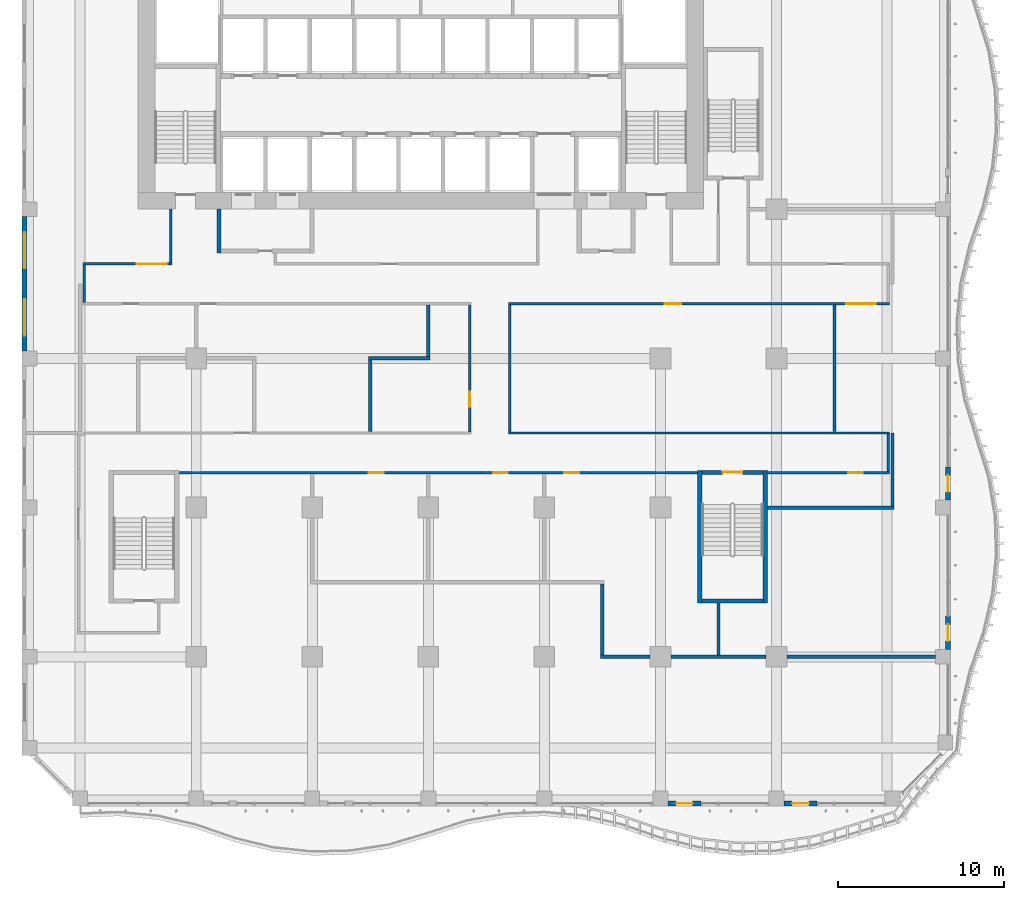
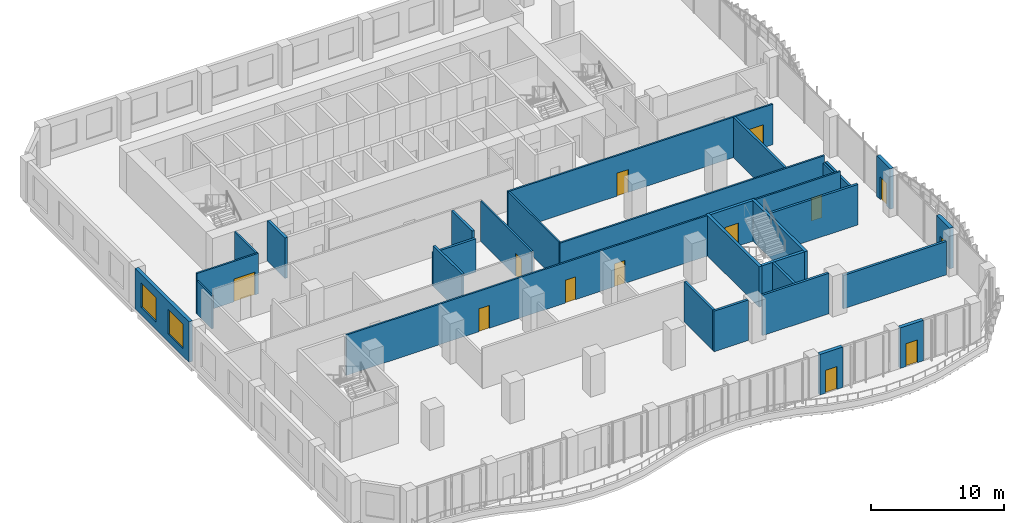
# One storey, part 11 of 25: 31 walls, 13 doors, 2 windows, 15 openings.
"""IFC4 building model written with IfcOpenShell, lengths in metres."""

from ifc_helpers import new_model, si_unit, direction, frame, frame_2d, origin, place, context, subcontext, project, spatial, rectangle, extrude, source, transform, mapped, material, layer, layer_set, type_object, element, fill, save


model = new_model("IFC4")

# Units and contexts
model_context = context("Model", 3, precision=1e-05, world=origin(), true_north=direction((0.0, 1.0)))
body_context = subcontext(model_context, "Body", "Model", "MODEL_VIEW")
ifc_project = project(units=[si_unit("LENGTHUNIT", "METRE"), si_unit("AREAUNIT", "SQUARE_METRE"), si_unit("VOLUMEUNIT", "CUBIC_METRE"), si_unit("PLANEANGLEUNIT", "RADIAN"), si_unit("MASSUNIT", "GRAM", prefix="KILO")], contexts=[model_context])

# Site, building, storey
site_placement = place(None, origin())
site = spatial("IfcSite", under=ifc_project, at=site_placement, CompositionType="ELEMENT")
building_placement = place(site_placement, origin())
building = spatial("IfcBuilding", under=site, at=building_placement, Name="Kilnfold Tower and Market Hall", CompositionType="ELEMENT")
storey_placement = place(building_placement, frame((0.0, 0.0, 67.199951171875)))
storey = spatial("IfcBuildingStorey", under=building, at=storey_placement, Name="L15", CompositionType="ELEMENT", Elevation=67.199951171875)

# Wall, openings, doors
ifc_material_1 = material(Name="Gypsum board on steel studs", Category="steel")
ifc_layer_1 = layer(ifc_material_1, 0.14990234375)
ifc_layer_set_1 = layer_set([ifc_layer_1], Name="Gypsum board on steel studs")
wall_type_1 = type_object("IfcWallType", Name="WALL CORRIDOR 150", PredefinedType="PARTITIONING", material=ifc_layer_set_1)
wall_1_placement = place(storey_placement, frame((-13.60009765625, -7.89990234375, 0.0), z_axis=(0.0, 0.0, 1.0), x_axis=(1.0, 0.0, 0.0)))
wall_1 = element("IfcWall", 1, at=wall_1_placement, inside=storey, type_object=wall_type_1, Name="Partition LY12.2", PredefinedType="PARTITIONING", context=body_context, shape_type="SweptSolid", body=[
    extrude(rectangle(XDim=31.400146484375, YDim=0.14990234375, at=frame_2d((15.7001953125, 0.0))), origin(), (0.0, 0.0, 1.0), 3.719970703125),
])
opening_1_placement = place(wall_1_placement, frame((11.5009765625, 0.0, 0.0)))
opening_1 = element("IfcOpeningElement", 2, at=opening_1_placement, cuts=wall_1, Name="Opening D3", PredefinedType="OPENING", context=body_context, shape_type="SweptSolid", body=[
    extrude(rectangle(XDim=0.89990234375, YDim=2.10009765625, at=frame_2d((0.449951171875, 1.050048828125))), frame((0.0, 0.0849609375, 0.0), z_axis=(0.0, -1.0, 0.0), x_axis=(1.0, 0.0, 0.0)), (0.0, 0.0, 1.0), 0.169921875),
])
opening_2_placement = place(wall_1_placement, frame((19.0029296875, 0.0, 0.0)))
opening_2 = element("IfcOpeningElement", 3, at=opening_2_placement, cuts=wall_1, Name="Opening D2", PredefinedType="OPENING", context=body_context, shape_type="SweptSolid", body=[
    extrude(rectangle(XDim=0.89990234375, YDim=2.10009765625, at=frame_2d((0.449951171875, 1.050048828125))), frame((0.0, 0.0849609375, 0.0), z_axis=(0.0, -1.0, 0.0), x_axis=(1.0, 0.0, 0.0)), (0.0, 0.0, 1.0), 0.169921875),
])
opening_3_placement = place(wall_1_placement, frame((23.291015625, 0.0, 0.0)))
opening_3 = element("IfcOpeningElement", 4, at=opening_3_placement, cuts=wall_1, Name="Opening D2", PredefinedType="OPENING", context=body_context, shape_type="SweptSolid", body=[
    extrude(rectangle(XDim=0.89990234375, YDim=2.10009765625, at=frame_2d((0.449951171875, 1.050048828125))), frame((0.0, 0.0849609375, 0.0), z_axis=(0.0, -1.0, 0.0), x_axis=(1.0, 0.0, 0.0)), (0.0, 0.0, 1.0), 0.169921875),
])
ifc_material_2 = material(Name="Timber veneer door leaf in steel frame", Category="steel")
door_type_1 = type_object("IfcDoorType", Name="DOOR ROOM 900 X2100", OperationType="NOTDEFINED", PredefinedType="DOOR", material=ifc_material_2)
door_1_placement = place(opening_2_placement, origin())
door_1 = element("IfcDoor", 5, at=door_1_placement, inside=storey, type_object=door_type_1, Name="Door D2", OperationType="SINGLE_SWING_RIGHT", OverallHeight=2.10009765625, OverallWidth=0.89990234375, PredefinedType="DOOR", context=body_context, shape_type="SweptSolid", body=[
    extrude(rectangle(XDim=0.89990234375, YDim=2.10009765625, at=frame_2d((0.449951171875, 1.050048828125))), frame((0.0, 0.02490234375, 0.0), z_axis=(0.0, -1.0, 0.0), x_axis=(1.0, 0.0, 0.0)), (0.0, 0.0, 1.0), 0.050048828125),
])
fill(opening_2, door_1)
door_2_placement = place(opening_3_placement, origin())
door_2 = element("IfcDoor", 6, at=door_2_placement, inside=storey, type_object=door_type_1, Name="Door D2", OperationType="SINGLE_SWING_LEFT", OverallHeight=2.10009765625, OverallWidth=0.89990234375, PredefinedType="DOOR", context=body_context, shape_type="SweptSolid", body=[
    extrude(rectangle(XDim=0.89990234375, YDim=2.10009765625, at=frame_2d((0.449951171875, 1.050048828125))), frame((0.0, 0.02490234375, 0.0), z_axis=(0.0, -1.0, 0.0), x_axis=(1.0, 0.0, 0.0)), (0.0, 0.0, 1.0), 0.050048828125),
])
fill(opening_3, door_2)
ifc_material_3 = material(Name="Timber veneer door leaf in steel frame", Category="steel")
door_type_2 = type_object("IfcDoorType", Name="DOOR WC 900 X2100", OperationType="NOTDEFINED", PredefinedType="DOOR", material=ifc_material_3)
door_3_placement = place(opening_1_placement, origin())
door_3 = element("IfcDoor", 7, at=door_3_placement, inside=storey, type_object=door_type_2, Name="Door D3", OperationType="SINGLE_SWING_LEFT", OverallHeight=2.10009765625, OverallWidth=0.89990234375, PredefinedType="DOOR", context=body_context, shape_type="SweptSolid", body=[
    extrude(rectangle(XDim=0.89990234375, YDim=2.10009765625, at=frame_2d((0.449951171875, 1.050048828125))), frame((0.0, 0.02490234375, 0.0), z_axis=(0.0, -1.0, 0.0), x_axis=(1.0, 0.0, 0.0)), (0.0, 0.0, 1.0), 0.050048828125),
])
fill(opening_1, door_3)

# Wall
wall_2_placement = place(storey_placement, frame((-19.25, 2.375, 0.0), z_axis=(0.0, 0.0, 1.0), x_axis=(0.0, 1.0, 0.0)))
element("IfcWall", 8, at=wall_2_placement, inside=storey, type_object=wall_type_1, Name="Partition LY12.11", PredefinedType="PARTITIONING", context=body_context, shape_type="SweptSolid", body=[
    extrude(rectangle(XDim=2.25, YDim=0.14990234375, at=frame_2d((1.125, 0.0))), origin(), (0.0, 0.0, 1.0), 3.070068359375),
])

# Wall, opening, door
wall_3_placement = place(storey_placement, frame((-19.324951171875, 4.699951171875, 0.0), z_axis=(0.0, 0.0, 1.0), x_axis=(1.0, 0.0, 0.0)))
wall_3 = element("IfcWall", 9, at=wall_3_placement, inside=storey, type_object=wall_type_1, Name="Partition LY12.12", PredefinedType="PARTITIONING", context=body_context, shape_type="SweptSolid", body=[
    extrude(rectangle(XDim=5.349853515625, YDim=0.14990234375, at=frame_2d((2.6748046875, 0.0))), origin(), (0.0, 0.0, 1.0), 3.719970703125),
])
opening_4_placement = place(wall_3_placement, frame((3.248046875, 0.0, 0.0)))
opening_4 = element("IfcOpeningElement", 10, at=opening_4_placement, cuts=wall_3, Name="Opening D5", PredefinedType="OPENING", context=body_context, shape_type="SweptSolid", body=[
    extrude(rectangle(XDim=1.800048828125, YDim=2.10009765625, at=frame_2d((0.89990234375, 1.050048828125))), frame((0.0, 0.0849609375, 0.0), z_axis=(0.0, -1.0, 0.0), x_axis=(1.0, 0.0, 0.0)), (0.0, 0.0, 1.0), 0.169921875),
])
ifc_material_4 = material(Name="Timber veneer door leaf in steel frame", Category="steel")
door_type_3 = type_object("IfcDoorType", Name="DOOR DOUBLE 1800 X2100", OperationType="NOTDEFINED", PredefinedType="DOOR", material=ifc_material_4)
door_4_placement = place(opening_4_placement, origin())
door_4 = element("IfcDoor", 11, at=door_4_placement, inside=storey, type_object=door_type_3, Name="Door D5", OperationType="DOUBLE_DOOR_SINGLE_SWING", OverallHeight=2.10009765625, OverallWidth=1.800048828125, PredefinedType="DOOR", context=body_context, shape_type="SweptSolid", body=[
    extrude(rectangle(XDim=1.800048828125, YDim=2.10009765625, at=frame_2d((0.89990234375, 1.050048828125))), frame((0.0, 0.02490234375, 0.0), z_axis=(0.0, -1.0, 0.0), x_axis=(1.0, 0.0, 0.0)), (0.0, 0.0, 1.0), 0.050048828125),
])
fill(opening_4, door_4)

# Wall
wall_4_placement = place(storey_placement, frame((-14.050048828125, 8.0, 0.0), z_axis=(0.0, 0.0, 1.0), x_axis=(0.0, -1.0, 0.0)))
element("IfcWall", 12, at=wall_4_placement, inside=storey, type_object=wall_type_1, Name="Partition LY12.13", PredefinedType="PARTITIONING", context=body_context, shape_type="SweptSolid", body=[
    extrude(rectangle(XDim=3.22509765625, YDim=0.14990234375, at=frame_2d((1.612548828125, 0.0))), origin(), (0.0, 0.0, 1.0), 3.719970703125),
])

# Wall, opening, door
wall_5_placement = place(storey_placement, frame((4.0, 2.22509765625, 0.0), z_axis=(0.0, 0.0, 1.0), x_axis=(0.0, -1.0, 0.0)))
wall_5 = element("IfcWall", 13, at=wall_5_placement, inside=storey, type_object=wall_type_1, Name="Partition LY12.17", PredefinedType="PARTITIONING", context=body_context, shape_type="SweptSolid", body=[
    extrude(rectangle(XDim=7.650146484375, YDim=0.14990234375, at=frame_2d((3.8251953125, 0.0))), origin(), (0.0, 0.0, 1.0), 3.719970703125),
])
opening_5_placement = place(wall_5_placement, frame((5.239990234375, 0.0, 0.0)))
opening_5 = element("IfcOpeningElement", 14, at=opening_5_placement, cuts=wall_5, Name="Opening D2", PredefinedType="OPENING", context=body_context, shape_type="SweptSolid", body=[
    extrude(rectangle(XDim=0.89990234375, YDim=2.10009765625, at=frame_2d((0.449951171875, 1.050048828125))), frame((0.0, 0.0849609375, 0.0), z_axis=(0.0, -1.0, 0.0), x_axis=(1.0, 0.0, 0.0)), (0.0, 0.0, 1.0), 0.169921875),
])
door_5_placement = place(opening_5_placement, origin())
door_5 = element("IfcDoor", 15, at=door_5_placement, inside=storey, type_object=door_type_1, Name="Door D2", OperationType="SINGLE_SWING_LEFT", OverallHeight=2.10009765625, OverallWidth=0.89990234375, PredefinedType="DOOR", context=body_context, shape_type="SweptSolid", body=[
    extrude(rectangle(XDim=0.89990234375, YDim=2.10009765625, at=frame_2d((0.449951171875, 1.050048828125))), frame((0.0, 0.02490234375, 0.0), z_axis=(0.0, -1.0, 0.0), x_axis=(1.0, 0.0, 0.0)), (0.0, 0.0, 1.0), 0.050048828125),
])
fill(opening_5, door_5)

# Wall, openings, doors
wall_6_placement = place(storey_placement, frame((6.324951171875, 2.300048828125, 0.0), z_axis=(0.0, 0.0, 1.0), x_axis=(1.0, 0.0, 0.0)))
wall_6 = element("IfcWall", 16, at=wall_6_placement, inside=storey, type_object=wall_type_1, Name="Partition LY12.18", PredefinedType="PARTITIONING", context=body_context, shape_type="SweptSolid", body=[
    extrude(rectangle(XDim=23.0, YDim=0.14990234375, at=frame_2d((11.5, 0.0))), origin(), (0.0, 0.0, 1.0), 3.719970703125),
])
opening_6_placement = place(wall_6_placement, frame((9.443115234375, 0.0, 0.0)))
opening_6 = element("IfcOpeningElement", 17, at=opening_6_placement, cuts=wall_6, Name="Opening D1", PredefinedType="OPENING", context=body_context, shape_type="SweptSolid", body=[
    extrude(rectangle(XDim=1.0, YDim=2.10009765625, at=frame_2d((0.5, 1.050048828125))), frame((0.0, 0.0849609375, 0.0), z_axis=(0.0, -1.0, 0.0), x_axis=(1.0, 0.0, 0.0)), (0.0, 0.0, 1.0), 0.169921875),
])
opening_7_placement = place(wall_6_placement, frame((20.381103515625, 0.0, 0.0)))
opening_7 = element("IfcOpeningElement", 18, at=opening_7_placement, cuts=wall_6, Name="Opening D5", PredefinedType="OPENING", context=body_context, shape_type="SweptSolid", body=[
    extrude(rectangle(XDim=1.800048828125, YDim=2.10009765625, at=frame_2d((0.89990234375, 1.050048828125))), frame((0.0, 0.0849609375, 0.0), z_axis=(0.0, -1.0, 0.0), x_axis=(1.0, 0.0, 0.0)), (0.0, 0.0, 1.0), 0.169921875),
])
door_6_placement = place(opening_7_placement, origin())
door_6 = element("IfcDoor", 19, at=door_6_placement, inside=storey, type_object=door_type_3, Name="Door D5", OperationType="DOUBLE_DOOR_SINGLE_SWING", OverallHeight=2.10009765625, OverallWidth=1.800048828125, PredefinedType="DOOR", context=body_context, shape_type="SweptSolid", body=[
    extrude(rectangle(XDim=1.800048828125, YDim=2.10009765625, at=frame_2d((0.89990234375, 1.050048828125))), frame((0.0, 0.02490234375, 0.0), z_axis=(0.0, -1.0, 0.0), x_axis=(1.0, 0.0, 0.0)), (0.0, 0.0, 1.0), 0.050048828125),
])
fill(opening_7, door_6)
ifc_material_5 = material(Name="Timber veneer door leaf in steel frame", Category="steel")
door_type_4 = type_object("IfcDoorType", Name="DOOR ENTRY 1000 X2100", OperationType="NOTDEFINED", PredefinedType="DOOR", material=ifc_material_5)
door_7_placement = place(opening_6_placement, origin())
door_7 = element("IfcDoor", 20, at=door_7_placement, inside=storey, type_object=door_type_4, Name="Door D1", OperationType="SINGLE_SWING_LEFT", OverallHeight=2.10009765625, OverallWidth=1.0, PredefinedType="DOOR", context=body_context, shape_type="SweptSolid", body=[
    extrude(rectangle(XDim=1.0, YDim=2.10009765625, at=frame_2d((0.5, 1.050048828125))), frame((0.0, 0.02490234375, 0.0), z_axis=(0.0, -1.0, 0.0), x_axis=(1.0, 0.0, 0.0)), (0.0, 0.0, 1.0), 0.050048828125),
])
fill(opening_6, door_7)

# Walls
wall_7_placement = place(storey_placement, frame((6.39990234375, -5.425048828125, 0.0), z_axis=(0.0, 0.0, 1.0), x_axis=(0.0, 1.0, 0.0)))
element("IfcWall", 21, at=wall_7_placement, inside=storey, type_object=wall_type_1, Name="Partition LY12.19", PredefinedType="PARTITIONING", context=body_context, shape_type="SweptSolid", body=[
    extrude(rectangle(XDim=7.650146484375, YDim=0.14990234375, at=frame_2d((3.8251953125, 0.0))), origin(), (0.0, 0.0, 1.0), 3.719970703125),
])
wall_8_placement = place(storey_placement, frame((6.324951171875, -5.5, 0.0), z_axis=(0.0, 0.0, 1.0), x_axis=(1.0, 0.0, 0.0)))
element("IfcWall", 22, at=wall_8_placement, inside=storey, type_object=wall_type_1, Name="Partition LY12.20", PredefinedType="PARTITIONING", context=body_context, shape_type="SweptSolid", body=[
    extrude(rectangle(XDim=23.0, YDim=0.14990234375, at=frame_2d((11.5, 0.0))), origin(), (0.0, 0.0, 1.0), 3.719970703125),
])
wall_9_placement = place(storey_placement, frame((29.25, -7.824951171875, 0.0), z_axis=(0.0, 0.0, 1.0), x_axis=(0.0, 1.0, 0.0)))
element("IfcWall", 23, at=wall_9_placement, inside=storey, type_object=wall_type_1, Name="Partition LY12.27", PredefinedType="PARTITIONING", context=body_context, shape_type="SweptSolid", body=[
    extrude(rectangle(XDim=2.25, YDim=0.14990234375, at=frame_2d((1.125, 0.0))), origin(), (0.0, 0.0, 1.0), 3.070068359375),
])

# Wall, opening, door
wall_10_placement = place(storey_placement, frame((21.89990234375, -7.89990234375, 0.0), z_axis=(0.0, 0.0, 1.0), x_axis=(1.0, 0.0, 0.0)))
wall_10 = element("IfcWall", 24, at=wall_10_placement, inside=storey, type_object=wall_type_1, Name="Partition LY12.28", PredefinedType="PARTITIONING", context=body_context, shape_type="SweptSolid", body=[
    extrude(rectangle(XDim=7.425048828125, YDim=0.14990234375, at=frame_2d((3.71240234375, 0.0))), origin(), (0.0, 0.0, 1.0), 3.719970703125),
])
opening_8_placement = place(wall_10_placement, frame((4.9189453125, 0.0, 0.0)))
opening_8 = element("IfcOpeningElement", 25, at=opening_8_placement, cuts=wall_10, Name="Opening D2", PredefinedType="OPENING", context=body_context, shape_type="SweptSolid", body=[
    extrude(rectangle(XDim=0.89990234375, YDim=2.10009765625, at=frame_2d((0.449951171875, 1.050048828125))), frame((0.0, 0.0849609375, 0.0), z_axis=(0.0, -1.0, 0.0), x_axis=(1.0, 0.0, 0.0)), (0.0, 0.0, 1.0), 0.169921875),
])
door_8_placement = place(opening_8_placement, origin())
door_8 = element("IfcDoor", 26, at=door_8_placement, inside=storey, type_object=door_type_1, Name="Door D2", OperationType="SINGLE_SWING_RIGHT", OverallHeight=2.10009765625, OverallWidth=0.89990234375, PredefinedType="DOOR", context=body_context, shape_type="SweptSolid", body=[
    extrude(rectangle(XDim=0.89990234375, YDim=2.10009765625, at=frame_2d((0.449951171875, 1.050048828125))), frame((0.0, 0.02490234375, 0.0), z_axis=(0.0, -1.0, 0.0), x_axis=(1.0, 0.0, 0.0)), (0.0, 0.0, 1.0), 0.050048828125),
])
fill(opening_8, door_8)

# Walls
ifc_material_6 = material(Name="Gypsum board on steel studs", Category="steel")
ifc_layer_2 = layer(ifc_material_6, 0.199951171875)
ifc_layer_set_2 = layer_set([ifc_layer_2], Name="Gypsum board on steel studs")
wall_type_2 = type_object("IfcWallType", Name="WALL PARTY 200", PredefinedType="PARTITIONING", material=ifc_layer_set_2)
wall_11_placement = place(storey_placement, frame((12.0, -18.89990234375, 0.0), z_axis=(0.0, 0.0, 1.0), x_axis=(0.0, 1.0, 0.0)))
element("IfcWall", 27, at=wall_11_placement, inside=storey, type_object=wall_type_2, Name="Partition LY12.34", PredefinedType="PARTITIONING", context=body_context, shape_type="SweptSolid", body=[
    extrude(rectangle(XDim=4.2998046875, YDim=0.199951171875, at=frame_2d((2.14990234375, 0.0))), origin(), (0.0, 0.0, 1.0), 3.719970703125),
])
wall_12_placement = place(storey_placement, frame((11.89990234375, -19.0, 0.0), z_axis=(0.0, 0.0, 1.0), x_axis=(1.0, 0.0, 0.0)))
element("IfcWall", 28, at=wall_12_placement, inside=storey, type_object=wall_type_2, Name="Partition LY12.35", PredefinedType="PARTITIONING", context=body_context, shape_type="SweptSolid", body=[
    extrude(rectangle(XDim=2.97509765625, YDim=0.199951171875, at=frame_2d((1.487548828125, 0.0))), origin(), (0.0, 0.0, 1.0), 3.719970703125),
])
wall_13_placement = place(storey_placement, frame((16.125, -19.0, 0.0), z_axis=(0.0, 0.0, 1.0), x_axis=(1.0, 0.0, 0.0)))
element("IfcWall", 29, at=wall_13_placement, inside=storey, type_object=wall_type_2, Name="Partition LY12.36", PredefinedType="PARTITIONING", context=body_context, shape_type="SweptSolid", body=[
    extrude(rectangle(XDim=5.75, YDim=0.199951171875, at=frame_2d((2.875, 0.0))), origin(), (0.0, 0.0, 1.0), 3.719970703125),
])
wall_14_placement = place(storey_placement, frame((23.125, -19.0, 0.0), z_axis=(0.0, 0.0, 1.0), x_axis=(1.0, 0.0, 0.0)))
element("IfcWall", 30, at=wall_14_placement, inside=storey, type_object=wall_type_2, Name="Partition LY12.37", PredefinedType="PARTITIONING", context=body_context, shape_type="SweptSolid", body=[
    extrude(rectangle(XDim=8.97509765625, YDim=0.199951171875, at=frame_2d((4.487548828125, 0.0))), origin(), (0.0, 0.0, 1.0), 3.070068359375),
])
wall_15_placement = place(storey_placement, frame((1.5, -0.89990234375, 0.0), z_axis=(0.0, 0.0, 1.0), x_axis=(0.0, 1.0, 0.0)))
element("IfcWall", 31, at=wall_15_placement, inside=storey, type_object=wall_type_2, Name="Partition LY12.46", PredefinedType="PARTITIONING", context=body_context, shape_type="SweptSolid", body=[
    extrude(rectangle(XDim=3.1240234375, YDim=0.199951171875, at=frame_2d((1.56201171875, 0.0))), origin(), (0.0, 0.0, 1.0), 3.719970703125),
])
wall_16_placement = place(storey_placement, frame((-2.10009765625, -1.0, 0.0), z_axis=(0.0, 0.0, 1.0), x_axis=(1.0, 0.0, 0.0)))
element("IfcWall", 32, at=wall_16_placement, inside=storey, type_object=wall_type_2, Name="Partition LY12.47", PredefinedType="PARTITIONING", context=body_context, shape_type="SweptSolid", body=[
    extrude(rectangle(XDim=3.7001953125, YDim=0.199951171875, at=frame_2d((1.85009765625, 0.0))), origin(), (0.0, 0.0, 1.0), 3.070068359375),
])
wall_17_placement = place(storey_placement, frame((-2.0, -5.424072265625, 0.0), z_axis=(0.0, 0.0, 1.0), x_axis=(0.0, 1.0, 0.0)))
element("IfcWall", 33, at=wall_17_placement, inside=storey, type_object=wall_type_2, Name="Partition LY12.48", PredefinedType="PARTITIONING", context=body_context, shape_type="SweptSolid", body=[
    extrude(rectangle(XDim=4.323974609375, YDim=0.199951171875, at=frame_2d((2.162109375, 0.0))), origin(), (0.0, 0.0, 1.0), 3.719970703125),
])
wall_18_placement = place(storey_placement, frame((26.0, -5.424072265625, 0.0), z_axis=(0.0, 0.0, 1.0), x_axis=(0.0, 1.0, 0.0)))
element("IfcWall", 34, at=wall_18_placement, inside=storey, type_object=wall_type_2, Name="Partition LY12.53", PredefinedType="PARTITIONING", context=body_context, shape_type="SweptSolid", body=[
    extrude(rectangle(XDim=7.648193359375, YDim=0.199951171875, at=frame_2d((3.82421875, 0.0))), origin(), (0.0, 0.0, 1.0), 3.719970703125),
])
wall_19_placement = place(storey_placement, frame((19.0, -18.89990234375, 0.0), z_axis=(0.0, 0.0, 1.0), x_axis=(0.0, 1.0, 0.0)))
element("IfcWall", 35, at=wall_19_placement, inside=storey, type_object=wall_type_2, Name="Partition LY12.54", PredefinedType="PARTITIONING", context=body_context, shape_type="SweptSolid", body=[
    extrude(rectangle(XDim=3.14990234375, YDim=0.199951171875, at=frame_2d((1.574951171875, 0.0))), origin(), (0.0, 0.0, 1.0), 3.719970703125),
])
wall_20_placement = place(storey_placement, frame((29.5, -9.89990234375, 0.0), z_axis=(0.0, 0.0, 1.0), x_axis=(0.0, 1.0, 0.0)))
element("IfcWall", 36, at=wall_20_placement, inside=storey, type_object=wall_type_2, Name="Partition LY12.58", PredefinedType="PARTITIONING", context=body_context, shape_type="SweptSolid", body=[
    extrude(rectangle(XDim=4.39990234375, YDim=0.199951171875, at=frame_2d((2.199951171875, 0.0))), origin(), (0.0, 0.0, 1.0), 3.070068359375),
])
wall_21_placement = place(storey_placement, frame((21.949951171875, -10.0, 0.0), z_axis=(0.0, 0.0, 1.0), x_axis=(1.0, 0.0, 0.0)))
element("IfcWall", 37, at=wall_21_placement, inside=storey, type_object=wall_type_2, Name="Partition LY12.59", PredefinedType="PARTITIONING", context=body_context, shape_type="SweptSolid", body=[
    extrude(rectangle(XDim=7.650146484375, YDim=0.199951171875, at=frame_2d((3.8251953125, 0.0))), origin(), (0.0, 0.0, 1.0), 3.719970703125),
])
ifc_material_7 = material(Name="Concrete C80", Category="concrete")
ifc_layer_3 = layer(ifc_material_7, 0.25)
ifc_layer_set_3 = layer_set([ifc_layer_3], Name="Concrete C80")
wall_type_3 = type_object("IfcWallType", Name="CORE WALL 250 C80", PredefinedType="SHEAR", material=ifc_layer_set_3)
shared_shape_1 = source(origin(), body_context, "Body", "SweptSolid", [
    extrude(rectangle(XDim=3.699951171875, YDim=0.25, at=frame_2d((1.85009765625, 0.0))), origin(), (0.0, 0.0, 1.0), 3.719970703125),
])
wall_22_placement = place(storey_placement, frame((18.0, -15.625, 0.0), z_axis=(0.0, 0.0, 1.0), x_axis=(1.0, 0.0, 0.0)))
element("IfcWall", 38, at=wall_22_placement, inside=storey, type_object=wall_type_3, Name="Stair enclosure ST4", PredefinedType="SHEAR", context=body_context, shape_type="MappedRepresentation", body=[
    mapped(shared_shape_1, transform((0.0, 0.0, 0.0))),
])

# Wall, opening, door
wall_23_placement = place(storey_placement, frame((18.0, -7.875, 0.0), z_axis=(0.0, 0.0, 1.0), x_axis=(1.0, 0.0, 0.0)))
wall_23 = element("IfcWall", 39, at=wall_23_placement, inside=storey, type_object=wall_type_3, Name="Stair enclosure ST4", PredefinedType="SHEAR", context=body_context, shape_type="MappedRepresentation", body=[
    mapped(shared_shape_1, transform((0.0, 0.0, 0.0))),
])
opening_9_placement = place(wall_23_placement, frame((1.25, 0.0, 0.0)))
opening_9 = element("IfcOpeningElement", 40, at=opening_9_placement, cuts=wall_23, Name="Opening SD1", PredefinedType="OPENING", context=body_context, shape_type="SweptSolid", body=[
    extrude(rectangle(XDim=1.199951171875, YDim=2.10009765625, at=frame_2d((0.60009765625, 1.050048828125))), frame((0.0, 0.135009765625, 0.0), z_axis=(0.0, -1.0, 0.0), x_axis=(1.0, 0.0, 0.0)), (0.0, 0.0, 1.0), 0.27001953125),
])
ifc_material_8 = material(Name="Steel door set with fire-resisting leaf", Category="steel")
door_type_5 = type_object("IfcDoorType", Name="STAIR FLOOR DOOR 1200X2100", OperationType="NOTDEFINED", PredefinedType="DOOR", material=ifc_material_8)
door_9_placement = place(opening_9_placement, origin())
door_9 = element("IfcDoor", 41, at=door_9_placement, inside=storey, type_object=door_type_5, Name="Exit stair ST4 door", OperationType="DOUBLE_DOOR_SINGLE_SWING", OverallHeight=2.10009765625, OverallWidth=1.199951171875, PredefinedType="DOOR", context=body_context, shape_type="SweptSolid", body=[
    extrude(rectangle(XDim=1.199951171875, YDim=2.10009765625, at=frame_2d((0.60009765625, 1.050048828125))), frame((0.0, 0.02490234375, 0.0), z_axis=(0.0, -1.0, 0.0), x_axis=(1.0, 0.0, 0.0)), (0.0, 0.0, 1.0), 0.050048828125),
])
fill(opening_9, door_9)

# Walls
shared_shape_2 = source(origin(), body_context, "Body", "SweptSolid", [
    extrude(rectangle(XDim=8.0, YDim=0.25, at=frame_2d((4.0, 0.0))), origin(), (0.0, 0.0, 1.0), 3.719970703125),
])
for number, where, z_axis, x_axis, name in (
    (42, (17.875, -15.75, 0.0), (0.0, 0.0, 1.0), (0.0, 1.0, 0.0), "Stair enclosure ST4"),
    (43, (21.824951171875, -15.75, 0.0), (0.0, 0.0, 1.0), (0.0, 1.0, 0.0), "Stair enclosure ST4"),
):
    element("IfcWall", number, at=place(storey_placement, frame(where, z_axis=z_axis, x_axis=x_axis)), inside=storey, type_object=wall_type_3, Name=name, PredefinedType="SHEAR", context=body_context, shape_type="MappedRepresentation", body=[
        mapped(shared_shape_2, transform((0.0, 0.0, 0.0))),
    ])

# Wall, opening, door
ifc_material_9 = material(Name="Precast concrete C50/60", Category="concrete")
ifc_layer_4 = layer(ifc_material_9, 0.300048828125)
ifc_layer_set_4 = layer_set([ifc_layer_4], Name="Precast concrete C50/60")
wall_type_4 = type_object("IfcWallType", Name="PRECAST WALL 300", PredefinedType="SOLIDWALL", material=ifc_layer_set_4)
shared_shape_3 = source(origin(), body_context, "Body", "SweptSolid", [
    extrude(rectangle(XDim=2.0, YDim=0.300048828125, at=frame_2d((1.0, 0.0))), origin(), (0.0, 0.0, 1.0), 3.719970703125),
])
wall_24_placement = place(storey_placement, frame((15.949951171875, -27.85009765625, 0.0), z_axis=(0.0, 0.0, 1.0), x_axis=(1.0, 0.0, 0.0)))
wall_24 = element("IfcWall", 44, at=wall_24_placement, inside=storey, type_object=wall_type_4, Name="External wall L15 S", PredefinedType="SOLIDWALL", context=body_context, shape_type="MappedRepresentation", body=[
    mapped(shared_shape_3, transform((0.0, 0.0, 0.0))),
])
opening_10_placement = place(wall_24_placement, frame((0.5, 0.0, 0.0)))
opening_10 = element("IfcOpeningElement", 45, at=opening_10_placement, cuts=wall_24, Name="Opening BD1", PredefinedType="OPENING", context=body_context, shape_type="SweptSolid", body=[
    extrude(rectangle(XDim=1.0, YDim=2.10009765625, at=frame_2d((0.5, 1.050048828125))), frame((0.0, 0.16015625, 0.0), z_axis=(0.0, -1.0, 0.0), x_axis=(1.0, 0.0, 0.0)), (0.0, 0.0, 1.0), 0.320068359375),
])
ifc_material_10 = material(Name="Aluminium frame and double glazing", Category="aluminium")
door_type_6 = type_object("IfcDoorType", Name="BALCONY DOOR 1000X2100", OperationType="NOTDEFINED", PredefinedType="DOOR", material=ifc_material_10)
door_10_placement = place(opening_10_placement, origin())
door_10 = element("IfcDoor", 46, at=door_10_placement, inside=storey, type_object=door_type_6, Name="Balcony door BD1 L15 S-1", OperationType="SINGLE_SWING_LEFT", OverallHeight=2.10009765625, OverallWidth=1.0, PredefinedType="DOOR", context=body_context, shape_type="SweptSolid", body=[
    extrude(rectangle(XDim=1.0, YDim=2.10009765625, at=frame_2d((0.5, 1.050048828125))), frame((0.0, 0.02490234375, 0.0), z_axis=(0.0, -1.0, 0.0), x_axis=(1.0, 0.0, 0.0)), (0.0, 0.0, 1.0), 0.050048828125),
])
fill(opening_10, door_10)

wall_25_placement = place(storey_placement, frame((22.949951171875, -27.85009765625, 0.0), z_axis=(0.0, 0.0, 1.0), x_axis=(1.0, 0.0, 0.0)))
wall_25 = element("IfcWall", 47, at=wall_25_placement, inside=storey, type_object=wall_type_4, Name="External wall L15 S", PredefinedType="SOLIDWALL", context=body_context, shape_type="MappedRepresentation", body=[
    mapped(shared_shape_3, transform((0.0, 0.0, 0.0))),
])
opening_11_placement = place(wall_25_placement, frame((0.5, 0.0, 0.0)))
opening_11 = element("IfcOpeningElement", 48, at=opening_11_placement, cuts=wall_25, Name="Opening BD1", PredefinedType="OPENING", context=body_context, shape_type="SweptSolid", body=[
    extrude(rectangle(XDim=1.0, YDim=2.10009765625, at=frame_2d((0.5, 1.050048828125))), frame((0.0, 0.16015625, 0.0), z_axis=(0.0, -1.0, 0.0), x_axis=(1.0, 0.0, 0.0)), (0.0, 0.0, 1.0), 0.320068359375),
])
door_11_placement = place(opening_11_placement, origin())
door_11 = element("IfcDoor", 49, at=door_11_placement, inside=storey, type_object=door_type_6, Name="Balcony door BD1 L15 S-1", OperationType="SINGLE_SWING_LEFT", OverallHeight=2.10009765625, OverallWidth=1.0, PredefinedType="DOOR", context=body_context, shape_type="SweptSolid", body=[
    extrude(rectangle(XDim=1.0, YDim=2.10009765625, at=frame_2d((0.5, 1.050048828125))), frame((0.0, 0.02490234375, 0.0), z_axis=(0.0, -1.0, 0.0), x_axis=(1.0, 0.0, 0.0)), (0.0, 0.0, 1.0), 0.050048828125),
])
fill(opening_11, door_11)

wall_26_placement = place(storey_placement, frame((32.85009765625, -18.550048828125, 0.0), z_axis=(0.0, 0.0, 1.0), x_axis=(0.0, 1.0, 0.0)))
wall_26 = element("IfcWall", 50, at=wall_26_placement, inside=storey, type_object=wall_type_4, Name="External wall L15 E", PredefinedType="SOLIDWALL", context=body_context, shape_type="MappedRepresentation", body=[
    mapped(shared_shape_3, transform((0.0, 0.0, 0.0))),
])
opening_12_placement = place(wall_26_placement, frame((0.5, 0.0, 0.0)))
opening_12 = element("IfcOpeningElement", 51, at=opening_12_placement, cuts=wall_26, Name="Opening BD1", PredefinedType="OPENING", context=body_context, shape_type="SweptSolid", body=[
    extrude(rectangle(XDim=1.0, YDim=2.10009765625, at=frame_2d((0.5, 1.050048828125))), frame((0.0, 0.16015625, 0.0), z_axis=(0.0, -1.0, 0.0), x_axis=(1.0, 0.0, 0.0)), (0.0, 0.0, 1.0), 0.320068359375),
])
door_12_placement = place(opening_12_placement, origin())
door_12 = element("IfcDoor", 52, at=door_12_placement, inside=storey, type_object=door_type_6, Name="Balcony door BD1 L15 E-1", OperationType="SINGLE_SWING_LEFT", OverallHeight=2.10009765625, OverallWidth=1.0, PredefinedType="DOOR", context=body_context, shape_type="SweptSolid", body=[
    extrude(rectangle(XDim=1.0, YDim=2.10009765625, at=frame_2d((0.5, 1.050048828125))), frame((0.0, 0.02490234375, 0.0), z_axis=(0.0, -1.0, 0.0), x_axis=(1.0, 0.0, 0.0)), (0.0, 0.0, 1.0), 0.050048828125),
])
fill(opening_12, door_12)

wall_27_placement = place(storey_placement, frame((32.85009765625, -9.550048828125, 0.0), z_axis=(0.0, 0.0, 1.0), x_axis=(0.0, 1.0, 0.0)))
wall_27 = element("IfcWall", 53, at=wall_27_placement, inside=storey, type_object=wall_type_4, Name="External wall L15 E", PredefinedType="SOLIDWALL", context=body_context, shape_type="MappedRepresentation", body=[
    mapped(shared_shape_3, transform((0.0, 0.0, 0.0))),
])
opening_13_placement = place(wall_27_placement, frame((0.5, 0.0, 0.0)))
opening_13 = element("IfcOpeningElement", 54, at=opening_13_placement, cuts=wall_27, Name="Opening BD1", PredefinedType="OPENING", context=body_context, shape_type="SweptSolid", body=[
    extrude(rectangle(XDim=1.0, YDim=2.10009765625, at=frame_2d((0.5, 1.050048828125))), frame((0.0, 0.16015625, 0.0), z_axis=(0.0, -1.0, 0.0), x_axis=(1.0, 0.0, 0.0)), (0.0, 0.0, 1.0), 0.320068359375),
])
door_13_placement = place(opening_13_placement, origin())
door_13 = element("IfcDoor", 55, at=door_13_placement, inside=storey, type_object=door_type_6, Name="Balcony door BD1 L15 E-1", OperationType="SINGLE_SWING_LEFT", OverallHeight=2.10009765625, OverallWidth=1.0, PredefinedType="DOOR", context=body_context, shape_type="SweptSolid", body=[
    extrude(rectangle(XDim=1.0, YDim=2.10009765625, at=frame_2d((0.5, 1.050048828125))), frame((0.0, 0.02490234375, 0.0), z_axis=(0.0, -1.0, 0.0), x_axis=(1.0, 0.0, 0.0)), (0.0, 0.0, 1.0), 0.050048828125),
])
fill(opening_13, door_13)

# Wall, openings, windows
shared_shape_4 = source(origin(), body_context, "Body", "SweptSolid", [
    extrude(rectangle(XDim=8.10009765625, YDim=0.300048828125, at=frame_2d((4.050048828125, 0.0))), origin(), (0.0, 0.0, 1.0), 3.719970703125),
])
wall_28_placement = place(storey_placement, frame((-22.85009765625, 7.550048828125, 0.0), z_axis=(0.0, 0.0, 1.0), x_axis=(0.0, -1.0, 0.0)))
wall_28 = element("IfcWall", 56, at=wall_28_placement, inside=storey, type_object=wall_type_4, Name="External wall L15 W", PredefinedType="SOLIDWALL", context=body_context, shape_type="MappedRepresentation", body=[
    mapped(shared_shape_4, transform((0.0, 0.0, 0.0))),
])
opening_14_placement = place(wall_28_placement, frame((0.925048828125, 0.0, 0.699951171875)))
opening_14 = element("IfcOpeningElement", 57, at=opening_14_placement, cuts=wall_28, Name="Opening W1", PredefinedType="OPENING", context=body_context, shape_type="SweptSolid", body=[
    extrude(rectangle(XDim=2.199951171875, YDim=2.25, at=frame_2d((1.10009765625, 1.125))), frame((0.0, 0.16015625, 0.0), z_axis=(0.0, -1.0, 0.0), x_axis=(1.0, 0.0, 0.0)), (0.0, 0.0, 1.0), 0.320068359375),
])
opening_15_placement = place(wall_28_placement, frame((4.97509765625, 0.0, 0.699951171875)))
opening_15 = element("IfcOpeningElement", 58, at=opening_15_placement, cuts=wall_28, Name="Opening W1", PredefinedType="OPENING", context=body_context, shape_type="SweptSolid", body=[
    extrude(rectangle(XDim=2.199951171875, YDim=2.25, at=frame_2d((1.10009765625, 1.125))), frame((0.0, 0.16015625, 0.0), z_axis=(0.0, -1.0, 0.0), x_axis=(1.0, 0.0, 0.0)), (0.0, 0.0, 1.0), 0.320068359375),
])
ifc_material_11 = material(Name="Aluminium frame and double glazing", Category="aluminium")
window_type = type_object("IfcWindowType", Name="WINDOW W1 2200X2250", PartitioningType="SINGLE_PANEL", PredefinedType="WINDOW", material=ifc_material_11)
window_1_placement = place(opening_14_placement, origin())
window_1 = element("IfcWindow", 59, at=window_1_placement, inside=storey, type_object=window_type, Name="Window W1 L15 W-1", OverallHeight=2.25, OverallWidth=2.199951171875, PartitioningType="SINGLE_PANEL", PredefinedType="WINDOW", context=body_context, shape_type="SweptSolid", body=[
    extrude(rectangle(XDim=2.199951171875, YDim=2.25, at=frame_2d((1.10009765625, 1.125))), frame((0.0, 0.030029296875, 0.0), z_axis=(0.0, -1.0, 0.0), x_axis=(1.0, 0.0, 0.0)), (0.0, 0.0, 1.0), 0.06005859375),
])
fill(opening_14, window_1)
window_2_placement = place(opening_15_placement, origin())
window_2 = element("IfcWindow", 60, at=window_2_placement, inside=storey, type_object=window_type, Name="Window W1 L15 W-2", OverallHeight=2.25, OverallWidth=2.199951171875, PartitioningType="SINGLE_PANEL", PredefinedType="WINDOW", context=body_context, shape_type="SweptSolid", body=[
    extrude(rectangle(XDim=2.199951171875, YDim=2.25, at=frame_2d((1.10009765625, 1.125))), frame((0.0, 0.030029296875, 0.0), z_axis=(0.0, -1.0, 0.0), x_axis=(1.0, 0.0, 0.0)), (0.0, 0.0, 1.0), 0.06005859375),
])
fill(opening_15, window_2)

# Wall
ifc_material_12 = material(Name="Gypsum shaft wall system")
ifc_layer_5 = layer(ifc_material_12, 0.25)
ifc_layer_set_5 = layer_set([ifc_layer_5], Name="Gypsum shaft wall system")
wall_type_5 = type_object("IfcWallType", Name="LOBBY WALL 250", PredefinedType="PARTITIONING", material=ifc_layer_set_5)
shared_shape_5 = source(origin(), body_context, "Body", "SweptSolid", [
    extrude(rectangle(XDim=2.64990234375, YDim=0.25, at=frame_2d((1.324951171875, 0.0))), origin(), (0.0, 0.0, 1.0), 3.719970703125),
])
wall_29_placement = place(storey_placement, frame((-11.135009765625, 5.35009765625, 0.0), z_axis=(0.0, 0.0, 1.0), x_axis=(0.0, 1.0, 0.0)))
element("IfcWall", 61, at=wall_29_placement, inside=storey, type_object=wall_type_5, Name="Firefighting lobby wall", PredefinedType="PARTITIONING", context=body_context, shape_type="MappedRepresentation", body=[
    mapped(shared_shape_5, transform((0.0, 0.0, 0.0))),
])

save(model, "model.ifc")
